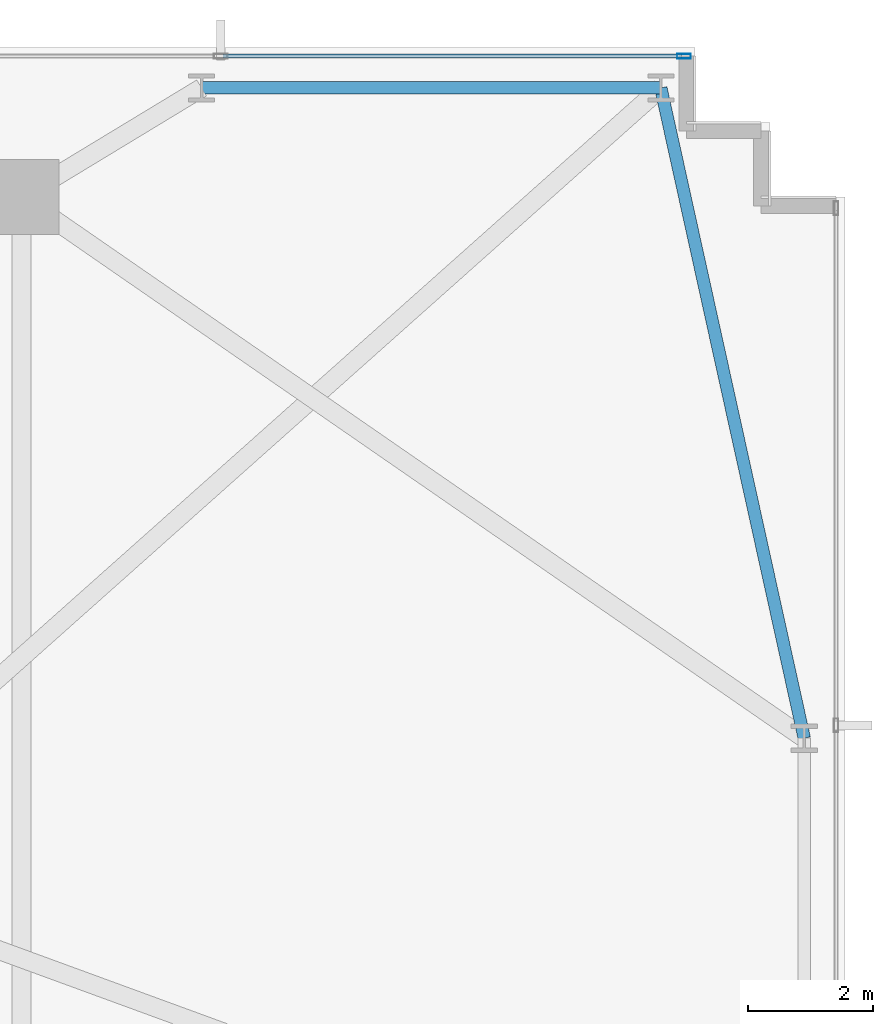
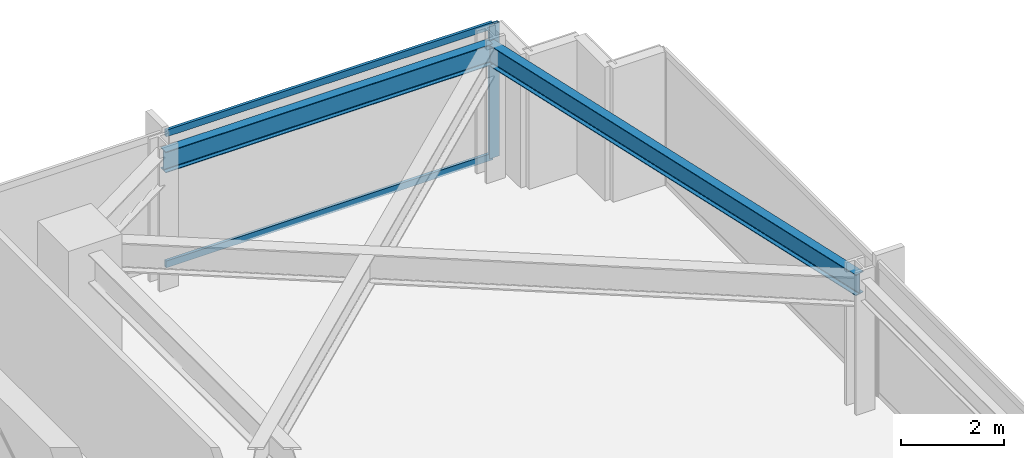
# One storey, part 21 of 32: 3 members, 2 beams, 1 element without a shape of its own.
"""IFC4 building model written with IfcOpenShell, lengths in metres."""

from ifc_helpers import new_model, si_unit, direction, frame, origin, origin_2d, place, context, subcontext, project, spatial, hollow_rectangle, i_section, extrude, material, material_profile, profile_set, type_object, element, aggregate, save


model = new_model("IFC4")

# Units and contexts
model_context = context("Model", 3, precision=1e-05, world=origin(), true_north=direction((0.0, 1.0)))
body_context = subcontext(model_context, "Body", "Model", "MODEL_VIEW")
ifc_project = project(units=[si_unit("LENGTHUNIT", "METRE"), si_unit("AREAUNIT", "SQUARE_METRE"), si_unit("VOLUMEUNIT", "CUBIC_METRE"), si_unit("PLANEANGLEUNIT", "RADIAN"), si_unit("MASSUNIT", "GRAM", prefix="KILO")], contexts=[model_context])

# Site, building, storey
site_placement = place(None, origin())
site = spatial("IfcSite", under=ifc_project, at=site_placement, CompositionType="ELEMENT")
building_placement = place(site_placement, origin())
building = spatial("IfcBuilding", under=site, at=building_placement, Name="Yelkora Congress Tower", CompositionType="ELEMENT")
storey_placement = place(building_placement, frame((0.0, 0.0, 67.800048828125)))
storey = spatial("IfcBuildingStorey", under=building, at=storey_placement, Name="L17", CompositionType="ELEMENT", Elevation=67.800048828125)

# Beams
ifc_material_1 = material(Name="Steel S355J2", Category="steel")
ifc_material_profile_1 = material_profile(ifc_material_1, i_section(OverallWidth=0.199951171875, OverallDepth=0.5, WebThickness=0.01025390625, FlangeThickness=0.01611328125, FilletRadius=0.02099609375, at=origin_2d()), Name="IPE 500")
ifc_profile_set_1 = profile_set([ifc_material_profile_1], Name="Steel S355J2")
beam_type = type_object("IfcBeamType", Name="BM-SPAN-IPE500", PredefinedType="SPANDREL", material=ifc_profile_set_1)
beam_1_placement = place(storey_placement, frame((70.14990234375, 37.52490234375, 2.929931640625), z_axis=(-0.215424087425, 0.97652058993, 0.0), x_axis=(-0.97652058993, -0.215424087425, 0.0)))
element("IfcBeam", 1, at=beam_1_placement, inside=storey, type_object=beam_type, Name="L17 Perimeter Beam 13", PredefinedType="SPANDREL", context=body_context, shape_type="SweptSolid", body=[
    extrude(i_section(OverallWidth=0.199951171875, OverallDepth=0.5, WebThickness=0.01025390625, FlangeThickness=0.01611328125, FilletRadius=0.02099609375, at=origin_2d()), origin(), (0.0, 0.0, 1.0), 10.67578125),
])
beam_2_placement = place(storey_placement, frame((67.85009765625, 47.949951171875, 2.929931640625), z_axis=(-1.0, 0.0, 0.0), x_axis=(0.0, -1.0, 0.0)))
element("IfcBeam", 2, at=beam_2_placement, inside=storey, type_object=beam_type, Name="L17 Perimeter Beam 14", PredefinedType="SPANDREL", context=body_context, shape_type="SweptSolid", body=[
    extrude(i_section(OverallWidth=0.199951171875, OverallDepth=0.5, WebThickness=0.01025390625, FlangeThickness=0.01611328125, FilletRadius=0.02099609375, at=origin_2d()), origin(), (0.0, 0.0, 1.0), 7.362548828125),
])

# Curtain wall, members
ifc_material_2 = material(Name="Anodised aluminium and insulated glass", Category="aluminium")
curtain_wall_type = type_object("IfcCurtainWallType", Name="CW-SYS-B1", PredefinedType="NOTDEFINED", material=ifc_material_2)
curtain_wall_placement = place(storey_placement, origin())
curtain_wall = element("IfcCurtainWall", 3, at=curtain_wall_placement, inside=storey, type_object=curtain_wall_type, Name="L17 Unitised Curtain Wall 10", PredefinedType="NOTDEFINED")
ifc_material_3 = material(Name="Anodised aluminium 6063-T6", Category="aluminium")
ifc_material_profile_2 = material_profile(ifc_material_3, hollow_rectangle(XDim=0.074951171875, YDim=0.219970703125, WallThickness=0.0048828125, at=origin_2d()), Name="ALU 75x220x5")
ifc_profile_set_2 = profile_set([ifc_material_profile_2], Name="Anodised aluminium 6063-T6")
member_type_1 = type_object("IfcMemberType", Name="MEM-ML-B1", PredefinedType="MULLION", material=ifc_profile_set_2)
member_1_placement = place(storey_placement, frame((68.222412109375, 48.4599609375, 0.0), z_axis=(0.0, 0.0, 1.0), x_axis=(0.0, 1.0, 0.0)))
member_1 = element("IfcMember", 4, at=member_1_placement, type_object=member_type_1, Name="CW-B1 mullion 9", PredefinedType="MULLION", context=body_context, shape_type="SweptSolid", body=[
    extrude(hollow_rectangle(XDim=0.074951171875, YDim=0.219970703125, WallThickness=0.0048828125, at=origin_2d()), origin(), (0.0, 0.0, 1.0), 3.179931640625),
])
ifc_material_profile_3 = material_profile(ifc_material_3, hollow_rectangle(XDim=0.06494140625, YDim=0.159912109375, WallThickness=0.00390625, at=origin_2d()), Name="ALU 65x160x4")
ifc_profile_set_3 = profile_set([ifc_material_profile_3], Name="Anodised aluminium 6063-T6")
member_type_2 = type_object("IfcMemberType", Name="MEM-TR-B1", PredefinedType="USERDEFINED", material=ifc_profile_set_3)
member_2_placement = place(storey_placement, frame((60.83251953125, 48.4599609375, 0.032470703125), z_axis=(1.0, 0.0, 0.0), x_axis=(0.0, 1.0, 0.0)))
member_2 = element("IfcMember", 5, at=member_2_placement, type_object=member_type_2, Name="CW-B1 transom 8.1", ObjectType="TRANSOM", PredefinedType="USERDEFINED", context=body_context, shape_type="SweptSolid", body=[
    extrude(hollow_rectangle(XDim=0.06494140625, YDim=0.159912109375, WallThickness=0.00390625, at=origin_2d()), origin(), (0.0, 0.0, 1.0), 7.3525390625),
])
member_3_placement = place(storey_placement, frame((60.83251953125, 48.4599609375, 3.1474609375), z_axis=(1.0, 0.0, 0.0), x_axis=(0.0, 1.0, 0.0)))
member_3 = element("IfcMember", 6, at=member_3_placement, type_object=member_type_2, Name="CW-B1 transom 8.2", ObjectType="TRANSOM", PredefinedType="USERDEFINED", context=body_context, shape_type="SweptSolid", body=[
    extrude(hollow_rectangle(XDim=0.06494140625, YDim=0.159912109375, WallThickness=0.00390625, at=origin_2d()), origin(), (0.0, 0.0, 1.0), 7.3525390625),
])
aggregate(curtain_wall, [member_1, member_2, member_3])

save(model, "model.ifc")
